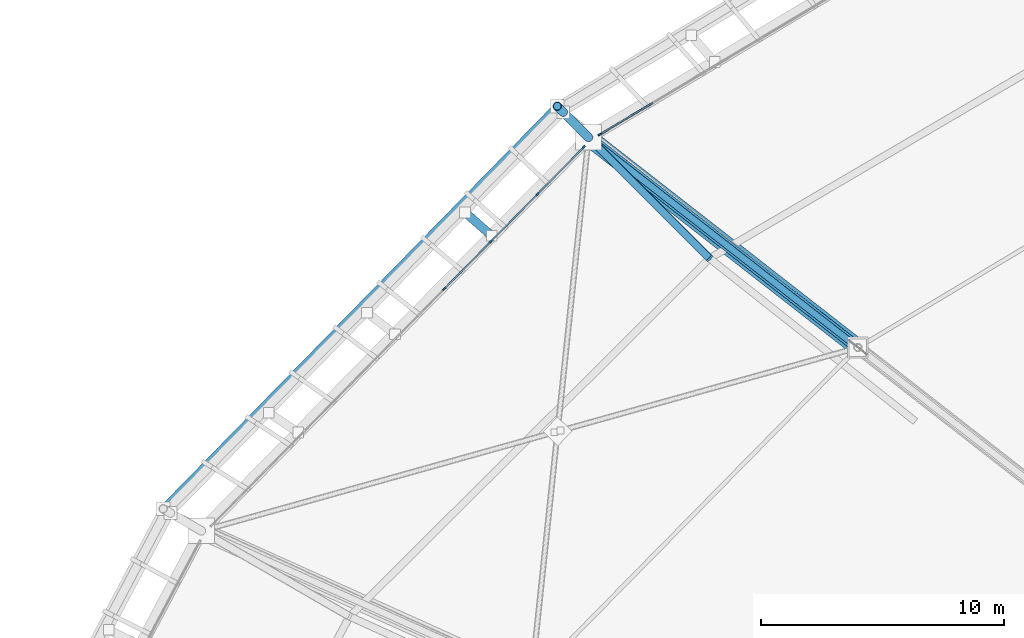
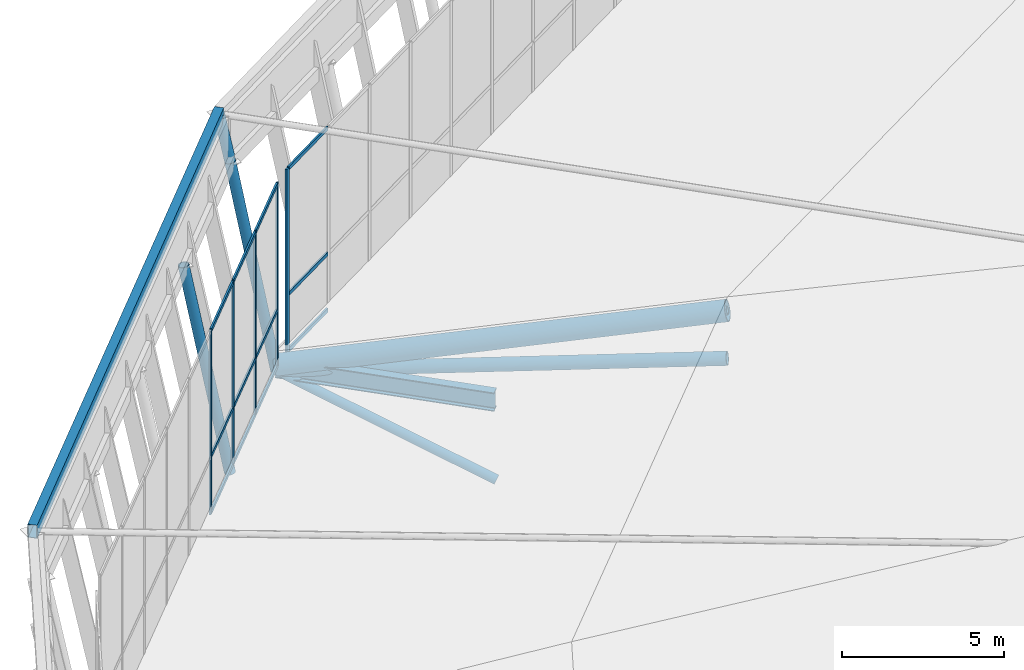
# One storey, part 62 of 115: 24 members, 2 beams, 2 elements without a shape of their own.
"""IFC4 building model written with IfcOpenShell, lengths in metres."""

import ifcopenshell
import ifcopenshell.guid

model = None  # the IFC model being written
_history = None  # IfcOwnerHistory: only IFC2X3 demands one
_inside = {}  # id of a spatial element -> (the spatial element, [elements in it])
_under = {}  # id of a project, library or spatial element -> (it, [spatial elements below it])
_declared = {}  # id of a project -> (the project, [libraries it declares])
_typed = {}  # id of a type object -> (the type object, [elements of that type])
_made_of = {}  # id of a material, layer set ... -> (it, [elements and type objects made of it])


def new_model(schema):
    """Start an empty IFC model of exactly this schema.

    Asked for "IFC4X3", IfcOpenShell would pick the latest addendum, in which some entities
    have other attributes; the version numbers below select the first issue.
    IFC2X3 requires an IfcOwnerHistory on every rooted entity: one is made here for all.
    """
    global model, _history
    if schema == "IFC4X3":
        model = ifcopenshell.file(schema_version=(4, 3, 0, 0))
    else:
        model = ifcopenshell.file(schema=schema)
    _inside.clear()
    _under.clear()
    _declared.clear()
    _typed.clear()
    _made_of.clear()
    _history = None
    if model.schema == "IFC2X3":
        org = make("IfcOrganization", Name="unknown")
        user = make(
            "IfcPersonAndOrganization",
            ThePerson=make("IfcPerson", FamilyName="unknown"),
            TheOrganization=org,
        )
        app = make(
            "IfcApplication",
            ApplicationDeveloper=org,
            Version="unknown",
            ApplicationFullName="unknown",
            ApplicationIdentifier="unknown",
        )
        _history = make(
            "IfcOwnerHistory",
            OwningUser=user,
            OwningApplication=app,
            ChangeAction="ADDED",
            CreationDate=0,
        )
    return model


def make(cls, **values):
    """One entity of the class cls with the attributes given. An attribute that is None is left unset."""
    return model.create_entity(
        cls, **{name: value for name, value in values.items() if value is not None}
    )


def rooted(cls, **values):
    """An entity with a GlobalId (a new one), such as an element, a storey or a relation."""
    return make(cls, GlobalId=ifcopenshell.guid.new(), OwnerHistory=_history, **values)


def si_unit(unit_type, name, prefix=None):
    """IfcSIUnit, for example si_unit("LENGTHUNIT", "METRE", prefix="MILLI")."""
    return make("IfcSIUnit", UnitType=unit_type, Prefix=prefix, Name=name)


def assignment(units):
    """IfcUnitAssignment: the units of a project."""
    return None if units is None else make("IfcUnitAssignment", Units=units)


def point(xyz):
    """IfcCartesianPoint."""
    return None if xyz is None else make("IfcCartesianPoint", Coordinates=xyz)


def direction(xyz):
    """IfcDirection."""
    return None if xyz is None else make("IfcDirection", DirectionRatios=xyz)


def frame(location, z_axis=None, x_axis=None):
    """IfcAxis2Placement3D, a coordinate frame: its origin and axes. An axis left out is left unset."""
    return make(
        "IfcAxis2Placement3D",
        Location=point(location),
        Axis=direction(z_axis),
        RefDirection=direction(x_axis),
    )


def frame_2d(location, x_axis=None):
    """IfcAxis2Placement2D, a coordinate frame in the plane: its origin and x axis."""
    return make(
        "IfcAxis2Placement2D", Location=point(location), RefDirection=direction(x_axis)
    )


def origin():
    """The frame at (0, 0, 0) with its axes left unset."""
    return frame((0.0, 0.0, 0.0))


def origin_2d():
    """The frame at (0, 0) in the plane with its x axis left unset."""
    return frame_2d((0.0, 0.0))


def place(relative_to, where):
    """IfcLocalPlacement: puts the frame where relative to a parent placement (None: the world)."""
    return make(
        "IfcLocalPlacement", PlacementRelTo=relative_to, RelativePlacement=where
    )


def context(
    kind, dimensions, precision=None, world=None, true_north=None, identifier=None
):
    """IfcGeometricRepresentationContext, for example the 3D "Model" context."""
    return make(
        "IfcGeometricRepresentationContext",
        ContextIdentifier=identifier,
        ContextType=kind,
        CoordinateSpaceDimension=dimensions,
        Precision=precision,
        WorldCoordinateSystem=world,
        TrueNorth=true_north,
    )


def subcontext(parent, identifier, kind, view, scale=None):
    """IfcGeometricRepresentationSubContext, for example "Body" below "Model"."""
    return make(
        "IfcGeometricRepresentationSubContext",
        ContextIdentifier=identifier,
        ContextType=kind,
        ParentContext=parent,
        TargetScale=scale,
        TargetView=view,
    )


def project(units=None, contexts=None):
    """IfcProject with its units and contexts."""
    return rooted(
        "IfcProject",
        Name="project",
        RepresentationContexts=contexts,
        UnitsInContext=assignment(units),
    )


def spatial(cls, under=None, at=None, **own):
    """A site, building, storey or space (cls), placed at a placement, below another one or the project."""
    s = rooted(cls, ObjectPlacement=at, **own)
    if under is not None:
        _under.setdefault(under.id(), (under, []))[1].append(s)
    return s


def profile(cls, at=None, kind="AREA", **sizes):
    """A parametric profile (cls). Its sizes go by their IFC names, for example OverallWidth=200.0."""
    return make(cls, ProfileType=kind, Position=at, **sizes)


def rectangle(**sizes):
    """IfcRectangleProfileDef."""
    return profile("IfcRectangleProfileDef", **sizes)


def hollow_rectangle(**sizes):
    """IfcRectangleHollowProfileDef."""
    return profile("IfcRectangleHollowProfileDef", **sizes)


def hollow_circle(**sizes):
    """IfcCircleHollowProfileDef."""
    return profile("IfcCircleHollowProfileDef", **sizes)


def i_section(**sizes):
    """IfcIShapeProfileDef."""
    return profile("IfcIShapeProfileDef", **sizes)


def extrude(swept, where, along, depth):
    """IfcExtrudedAreaSolid: the profile swept, set in the frame where, extruded along a direction by depth."""
    return make(
        "IfcExtrudedAreaSolid",
        SweptArea=swept,
        Position=where,
        ExtrudedDirection=direction(along),
        Depth=depth,
    )


def shape(context_of_items, identifier, shape_type, items):
    """IfcShapeRepresentation: the items that make up one representation, for example the "Body"."""
    return make(
        "IfcShapeRepresentation",
        ContextOfItems=context_of_items,
        RepresentationIdentifier=identifier,
        RepresentationType=shape_type,
        Items=items,
    )


def material(Name=None, Category=None):
    """IfcMaterial."""
    return make("IfcMaterial", Name=Name, Category=Category)


def material_profile(
    of_material, cross_section, Name=None, Category=None, Priority=None
):
    """IfcMaterialProfile: a cross section and its material."""
    return make(
        "IfcMaterialProfile",
        Name=Name,
        Material=of_material,
        Profile=cross_section,
        Priority=Priority,
        Category=Category,
    )


def profile_set(profiles, Name=None, composite=None):
    """IfcMaterialProfileSet."""
    return make(
        "IfcMaterialProfileSet",
        Name=Name,
        MaterialProfiles=profiles,
        CompositeProfile=composite,
    )


def made_of(thing, what):
    """Note that an element or type object is made of a material, layer set ...; save() writes the relation."""
    if what is not None:
        _made_of.setdefault(what.id(), (what, []))[1].append(thing)
    return thing


def type_object(cls, material=None, **own):
    """A type object (cls), such as IfcWallType, which elements share."""
    return made_of(rooted(cls, **own), material)


def element(
    cls,
    number,
    at=None,
    inside=None,
    cuts=None,
    type_object=None,
    material=None,
    context=None,
    identifier="Body",
    shape_type=None,
    held_by="IfcProductDefinitionShape",
    body=None,
    shapes=None,
    **own,
):
    """One element of the class cls, such as IfcWall. Its Tag is "e" and its number.

    at: its placement. inside: the storey or other place that contains it. cuts: it is an
    opening in that element (IfcRelVoidsElement). A single representation is given by context,
    identifier, shape_type and body (its items); several are given by shapes. held_by: the class
    of the entity that holds the representations. save() writes the other relations.
    """
    e = rooted(cls, Tag="e%d" % number, ObjectPlacement=at, **own)
    if body is not None:
        shapes = [shape(context, identifier, shape_type, body)]
    if shapes is not None:
        e.Representation = make(held_by, Representations=shapes)
    if inside is not None:
        _inside.setdefault(inside.id(), (inside, []))[1].append(e)
    if cuts is not None:
        rooted(
            "IfcRelVoidsElement", RelatingBuildingElement=cuts, RelatedOpeningElement=e
        )
    if type_object is not None:
        _typed.setdefault(type_object.id(), (type_object, []))[1].append(e)
    return made_of(e, material)


def aggregate(whole, parts):
    """IfcRelAggregates: a whole, such as a stair, and the parts it consists of."""
    return rooted("IfcRelAggregates", RelatingObject=whole, RelatedObjects=parts)


def save(model, path):
    """Write the relations noted so far, then the file.

    IfcRelAggregates (storeys below a building ...), IfcRelContainedInSpatialStructure (elements
    in a storey), IfcRelDefinesByType, IfcRelAssociatesMaterial and IfcRelDeclares: one each for
    every whole, place, type object, material and project.
    """
    for whole, parts in _under.values():
        aggregate(whole, parts)
    for where, things in _inside.values():
        rooted(
            "IfcRelContainedInSpatialStructure",
            RelatedElements=things,
            RelatingStructure=where,
        )
    for kind, things in _typed.values():
        rooted("IfcRelDefinesByType", RelatedObjects=things, RelatingType=kind)
    for what, things in _made_of.values():
        rooted("IfcRelAssociatesMaterial", RelatedObjects=things, RelatingMaterial=what)
    for by, libraries in _declared.values():
        rooted("IfcRelDeclares", RelatingContext=by, RelatedDefinitions=libraries)
    model.write(path)


model = new_model("IFC4")

# Units and contexts
model_context = context("Model", 3, precision=1e-05, world=origin(), true_north=direction((0.0, 1.0)))
body_context = subcontext(model_context, "Body", "Model", "MODEL_VIEW")
ifc_project = project(units=[si_unit("LENGTHUNIT", "METRE"), si_unit("AREAUNIT", "SQUARE_METRE"), si_unit("VOLUMEUNIT", "CUBIC_METRE"), si_unit("PLANEANGLEUNIT", "RADIAN"), si_unit("MASSUNIT", "GRAM", prefix="KILO")], contexts=[model_context])

# Site, building, storey
site_placement = place(None, origin())
site = spatial("IfcSite", under=ifc_project, at=site_placement, CompositionType="ELEMENT")
building_placement = place(site_placement, origin())
building = spatial("IfcBuilding", under=site, at=building_placement, Name="Zlatoyarsky Gate Stadium", CompositionType="ELEMENT")
storey_placement = place(building_placement, frame((0.0, 0.0, 31.800048828125)))
storey = spatial("IfcBuildingStorey", under=building, at=storey_placement, Name="RF", CompositionType="ELEMENT", Elevation=31.800048828125)

# Curtain wall, member
ifc_material_1 = material(Name="Thermally broken anodised aluminium curtain wall", Category="aluminium")
curtain_wall_type = type_object("IfcCurtainWallType", Name="UNITISED SKYBOX RING GLAZING L05", PredefinedType="USERDEFINED", material=ifc_material_1)
curtain_wall_1_placement = place(storey_placement, origin())
curtain_wall_1 = element("IfcCurtainWall", 1, at=curtain_wall_1_placement, inside=storey, type_object=curtain_wall_type, Name="Curtain wall CW-RF-08", ObjectType="UNITISED GLAZING", PredefinedType="USERDEFINED")
ifc_material_2 = material(Name="Anodised aluminium 6063-T6", Category="aluminium")
ifc_material_profile_1 = material_profile(ifc_material_2, rectangle(XDim=0.06494140625, YDim=0.159912109375, at=origin_2d()), Name="ALU 65X160")
ifc_profile_set_1 = profile_set([ifc_material_profile_1], Name="Anodised aluminium 6063-T6")
member_type_1 = type_object("IfcMemberType", Name="ALUMINIUM MULLION 65X160", PredefinedType="MULLION", material=ifc_profile_set_1)
member_1_placement = place(storey_placement, frame((40.739990234375, 135.296875, 0.0), z_axis=(0.0, 0.0, 1.0), x_axis=(0.513435995817, -0.858127891517, 0.0)))
member_1 = element("IfcMember", 2, at=member_1_placement, type_object=member_type_1, Name="CW-UG5 mullion 10", PredefinedType="MULLION", context=body_context, shape_type="SweptSolid", body=[
    extrude(rectangle(XDim=0.06494140625, YDim=0.159912109375, at=origin_2d()), origin(), (0.0, 0.0, 1.0), 6.89990234375),
])

# Curtain wall, members
curtain_wall_2_placement = place(storey_placement, origin())
curtain_wall_2 = element("IfcCurtainWall", 3, at=curtain_wall_2_placement, inside=storey, type_object=curtain_wall_type, Name="Curtain wall CW-RF-09", ObjectType="UNITISED GLAZING", PredefinedType="USERDEFINED")
member_2_placement = place(storey_placement, frame((40.0654296875, 134.7666015625, 0.0), z_axis=(0.0, 0.0, 1.0), x_axis=(0.712766053473, -0.701401848456, 0.0)))
member_2 = element("IfcMember", 4, at=member_2_placement, type_object=member_type_1, Name="CW-UG5 mullion 1", PredefinedType="MULLION", context=body_context, shape_type="SweptSolid", body=[
    extrude(rectangle(XDim=0.06494140625, YDim=0.159912109375, at=origin_2d()), origin(), (0.0, 0.0, 1.0), 6.89990234375),
])
member_3_placement = place(storey_placement, frame((38.174072265625, 132.8447265625, 0.0), z_axis=(0.0, 0.0, 1.0), x_axis=(0.712766053473, -0.701401848456, 0.0)))
member_3 = element("IfcMember", 5, at=member_3_placement, type_object=member_type_1, Name="CW-UG5 mullion 2", PredefinedType="MULLION", context=body_context, shape_type="SweptSolid", body=[
    extrude(rectangle(XDim=0.06494140625, YDim=0.159912109375, at=origin_2d()), origin(), (0.0, 0.0, 1.0), 6.89990234375),
])
member_4_placement = place(storey_placement, frame((36.260009765625, 130.899658203125, 0.0), z_axis=(0.0, 0.0, 1.0), x_axis=(0.712766053473, -0.701401848456, 0.0)))
member_4 = element("IfcMember", 6, at=member_4_placement, type_object=member_type_1, Name="CW-UG5 mullion 3", PredefinedType="MULLION", context=body_context, shape_type="SweptSolid", body=[
    extrude(rectangle(XDim=0.06494140625, YDim=0.159912109375, at=origin_2d()), origin(), (0.0, 0.0, 1.0), 6.89990234375),
])
member_5_placement = place(storey_placement, frame((34.345947265625, 128.954345703125, 0.0), z_axis=(0.0, 0.0, 1.0), x_axis=(0.712766053473, -0.701401848456, 0.0)))
member_5 = element("IfcMember", 7, at=member_5_placement, type_object=member_type_1, Name="CW-UG5 mullion 4", PredefinedType="MULLION", context=body_context, shape_type="SweptSolid", body=[
    extrude(rectangle(XDim=0.06494140625, YDim=0.159912109375, at=origin_2d()), origin(), (0.0, 0.0, 1.0), 6.89990234375),
])

# Member
ifc_material_profile_2 = material_profile(ifc_material_2, rectangle(XDim=0.06494140625, YDim=0.139892578125, at=origin_2d()), Name="ALU 65X140")
ifc_profile_set_2 = profile_set([ifc_material_profile_2], Name="Anodised aluminium 6063-T6")
member_type_2 = type_object("IfcMemberType", Name="ALUMINIUM TRANSOM 65X140", PredefinedType="USERDEFINED", material=ifc_profile_set_2)
member_6_placement = place(storey_placement, frame((42.906494140625, 136.59326171875, 0.032470703125), z_axis=(-0.858140517971, -0.513414892087, 0.0), x_axis=(0.513414892087, -0.858140517971, 0.0)))
member_6 = element("IfcMember", 8, at=member_6_placement, type_object=member_type_2, Name="CW-UG5 transom 9.1", ObjectType="TRANSOM", PredefinedType="USERDEFINED", context=body_context, shape_type="SweptSolid", body=[
    extrude(rectangle(XDim=0.06494140625, YDim=0.139892578125, at=origin_2d()), origin(), (0.0, 0.0, 1.0), 2.4921875),
])

member_7_placement = place(storey_placement, frame((42.906494140625, 136.59326171875, 2.14990234375), z_axis=(-0.858140517971, -0.513414892087, 0.0), x_axis=(0.513414892087, -0.858140517971, 0.0)))
member_7 = element("IfcMember", 9, at=member_7_placement, type_object=member_type_2, Name="CW-UG5 transom 9.2", ObjectType="TRANSOM", PredefinedType="USERDEFINED", context=body_context, shape_type="SweptSolid", body=[
    extrude(rectangle(XDim=0.06494140625, YDim=0.139892578125, at=origin_2d()), origin(), (0.0, 0.0, 1.0), 2.4921875),
])

member_8_placement = place(storey_placement, frame((42.906494140625, 136.59326171875, 6.867431640625), z_axis=(-0.858140517971, -0.513414892087, 0.0), x_axis=(0.513414892087, -0.858140517971, 0.0)))
member_8 = element("IfcMember", 10, at=member_8_placement, type_object=member_type_2, Name="CW-UG5 transom 9.3", ObjectType="TRANSOM", PredefinedType="USERDEFINED", context=body_context, shape_type="SweptSolid", body=[
    extrude(rectangle(XDim=0.06494140625, YDim=0.139892578125, at=origin_2d()), origin(), (0.0, 0.0, 1.0), 2.4921875),
])

aggregate(curtain_wall_1, [member_1, member_6, member_7, member_8])

member_9_placement = place(storey_placement, frame((40.042724609375, 134.743408203125, 0.032470703125), z_axis=(-0.701471617556, -0.712697390036, 0.0), x_axis=(0.712697390036, -0.701471617556, 0.0)))
member_9 = element("IfcMember", 11, at=member_9_placement, type_object=member_type_2, Name="CW-UG5 transom 1.1", ObjectType="TRANSOM", PredefinedType="USERDEFINED", context=body_context, shape_type="SweptSolid", body=[
    extrude(rectangle(XDim=0.06494140625, YDim=0.139892578125, at=origin_2d()), origin(), (0.0, 0.0, 1.0), 2.631591796875),
])

member_10_placement = place(storey_placement, frame((40.042724609375, 134.743408203125, 2.14990234375), z_axis=(-0.701471617556, -0.712697390036, 0.0), x_axis=(0.712697390036, -0.701471617556, 0.0)))
member_10 = element("IfcMember", 12, at=member_10_placement, type_object=member_type_2, Name="CW-UG5 transom 1.2", ObjectType="TRANSOM", PredefinedType="USERDEFINED", context=body_context, shape_type="SweptSolid", body=[
    extrude(rectangle(XDim=0.06494140625, YDim=0.139892578125, at=origin_2d()), origin(), (0.0, 0.0, 1.0), 2.631591796875),
])

member_11_placement = place(storey_placement, frame((40.042724609375, 134.743408203125, 6.867431640625), z_axis=(-0.701471617556, -0.712697390036, 0.0), x_axis=(0.712697390036, -0.701471617556, 0.0)))
member_11 = element("IfcMember", 13, at=member_11_placement, type_object=member_type_2, Name="CW-UG5 transom 1.3", ObjectType="TRANSOM", PredefinedType="USERDEFINED", context=body_context, shape_type="SweptSolid", body=[
    extrude(rectangle(XDim=0.06494140625, YDim=0.139892578125, at=origin_2d()), origin(), (0.0, 0.0, 1.0), 2.631591796875),
])

member_12_placement = place(storey_placement, frame((38.1513671875, 132.821533203125, 0.032470703125), z_axis=(-0.701448172626, -0.712720464922, 0.0), x_axis=(0.712720464922, -0.701448172626, 0.0)))
member_12 = element("IfcMember", 14, at=member_12_placement, type_object=member_type_2, Name="CW-UG5 transom 2.1", ObjectType="TRANSOM", PredefinedType="USERDEFINED", context=body_context, shape_type="SweptSolid", body=[
    extrude(rectangle(XDim=0.06494140625, YDim=0.139892578125, at=origin_2d()), origin(), (0.0, 0.0, 1.0), 2.6640625),
])

member_13_placement = place(storey_placement, frame((38.1513671875, 132.821533203125, 2.14990234375), z_axis=(-0.701448172626, -0.712720464922, 0.0), x_axis=(0.712720464922, -0.701448172626, 0.0)))
member_13 = element("IfcMember", 15, at=member_13_placement, type_object=member_type_2, Name="CW-UG5 transom 2.2", ObjectType="TRANSOM", PredefinedType="USERDEFINED", context=body_context, shape_type="SweptSolid", body=[
    extrude(rectangle(XDim=0.06494140625, YDim=0.139892578125, at=origin_2d()), origin(), (0.0, 0.0, 1.0), 2.6640625),
])

member_14_placement = place(storey_placement, frame((38.1513671875, 132.821533203125, 6.867431640625), z_axis=(-0.701448172626, -0.712720464922, 0.0), x_axis=(0.712720464922, -0.701448172626, 0.0)))
member_14 = element("IfcMember", 16, at=member_14_placement, type_object=member_type_2, Name="CW-UG5 transom 2.3", ObjectType="TRANSOM", PredefinedType="USERDEFINED", context=body_context, shape_type="SweptSolid", body=[
    extrude(rectangle(XDim=0.06494140625, YDim=0.139892578125, at=origin_2d()), origin(), (0.0, 0.0, 1.0), 2.6640625),
])

member_15_placement = place(storey_placement, frame((36.2373046875, 130.87646484375, 0.032470703125), z_axis=(-0.701402357666, -0.712765552381, 0.0), x_axis=(0.712765552381, -0.701402357666, 0.0)))
member_15 = element("IfcMember", 17, at=member_15_placement, type_object=member_type_2, Name="CW-UG5 transom 3.1", ObjectType="TRANSOM", PredefinedType="USERDEFINED", context=body_context, shape_type="SweptSolid", body=[
    extrude(rectangle(XDim=0.06494140625, YDim=0.139892578125, at=origin_2d()), origin(), (0.0, 0.0, 1.0), 2.6640625),
])

member_16_placement = place(storey_placement, frame((36.2373046875, 130.87646484375, 2.14990234375), z_axis=(-0.701402357666, -0.712765552381, 0.0), x_axis=(0.712765552381, -0.701402357666, 0.0)))
member_16 = element("IfcMember", 18, at=member_16_placement, type_object=member_type_2, Name="CW-UG5 transom 3.2", ObjectType="TRANSOM", PredefinedType="USERDEFINED", context=body_context, shape_type="SweptSolid", body=[
    extrude(rectangle(XDim=0.06494140625, YDim=0.139892578125, at=origin_2d()), origin(), (0.0, 0.0, 1.0), 2.6640625),
])

member_17_placement = place(storey_placement, frame((36.2373046875, 130.87646484375, 6.867431640625), z_axis=(-0.701402357666, -0.712765552381, 0.0), x_axis=(0.712765552381, -0.701402357666, 0.0)))
member_17 = element("IfcMember", 19, at=member_17_placement, type_object=member_type_2, Name="CW-UG5 transom 3.3", ObjectType="TRANSOM", PredefinedType="USERDEFINED", context=body_context, shape_type="SweptSolid", body=[
    extrude(rectangle(XDim=0.06494140625, YDim=0.139892578125, at=origin_2d()), origin(), (0.0, 0.0, 1.0), 2.6640625),
])

aggregate(curtain_wall_2, [member_2, member_3, member_4, member_5, member_9, member_10, member_11, member_12, member_13, member_14, member_15, member_16, member_17])

# Members
ifc_material_3 = material(Name="Steel S355", Category="steel")
ifc_material_profile_3 = material_profile(ifc_material_3, hollow_circle(Radius=0.228515625, WallThickness=0.02490234375, at=origin_2d()), Name="CHS 457X25")
ifc_profile_set_3 = profile_set([ifc_material_profile_3], Name="Steel S355")
member_type_3 = type_object("IfcMemberType", Name="STEEL ARCH BOTTOM CHORD CHS 457X25", PredefinedType="CHORD", material=ifc_profile_set_3)
member_18_placement = place(storey_placement, frame((40.269775390625, 135.173828125, -0.449951171875), z_axis=(0.782072913981, -0.610058642375, 0.127241542272), x_axis=(0.61505798075, 0.788481883315, 0.0)))
element("IfcMember", 20, at=member_18_placement, inside=storey, type_object=member_type_3, Name="Radial truss R10 bottom chord 1", PredefinedType="CHORD", context=body_context, shape_type="SweptSolid", body=[
    extrude(hollow_circle(Radius=0.228515625, WallThickness=0.02490234375, at=origin_2d()), origin(), (0.0, 0.0, 1.0), 14.144775390625),
])
ifc_material_profile_4 = material_profile(ifc_material_3, hollow_circle(Radius=0.35546875, WallThickness=0.031982421875, at=origin_2d()), Name="CHS 711X32")
ifc_profile_set_4 = profile_set([ifc_material_profile_4], Name="Steel S355")
member_type_4 = type_object("IfcMemberType", Name="STEEL ARCH TOP CHORD CHS 711X32", PredefinedType="CHORD", material=ifc_profile_set_4)
member_19_placement = place(storey_placement, frame((40.269775390625, 135.173828125, -0.25), z_axis=(0.76630202169, -0.597756504086, 0.235517246453), x_axis=(0.61505798075, 0.788481883315, 0.0)))
element("IfcMember", 21, at=member_19_placement, inside=storey, type_object=member_type_4, Name="Radial truss R10 top chord 1", PredefinedType="CHORD", context=body_context, shape_type="SweptSolid", body=[
    extrude(hollow_circle(Radius=0.35546875, WallThickness=0.031982421875, at=origin_2d()), origin(), (0.0, 0.0, 1.0), 14.435791015625),
])
ifc_material_profile_5 = material_profile(ifc_material_3, hollow_circle(Radius=0.177734375, WallThickness=0.02001953125, at=origin_2d()), Name="CHS 355.6X20")
ifc_profile_set_5 = profile_set([ifc_material_profile_5], Name="Steel S355")
member_type_5 = type_object("IfcMemberType", Name="STEEL LEANING RIB RING STRUT CHS 355.6X20", PredefinedType="STRUT", material=ifc_profile_set_5)
member_20_placement = place(storey_placement, frame((40.269775390625, 135.173828125, -0.449951171875), z_axis=(-0.134083158373, 0.134083158373, 0.981857124678), x_axis=(-0.707106781187, -0.707106781187, 0.0)))
element("IfcMember", 22, at=member_20_placement, inside=storey, type_object=member_type_5, Name="Outward-leaning crown fascia lower post 09", PredefinedType="STRUT", context=body_context, shape_type="SweptSolid", body=[
    extrude(hollow_circle(Radius=0.177734375, WallThickness=0.02001953125, at=origin_2d()), origin(), (0.0, 0.0, 1.0), 7.740234375),
])
member_21_placement = place(storey_placement, frame((39.23193359375, 136.211669921875, 7.14990234375), z_axis=(-0.142090707593, 0.142231391462, 0.979581779178), x_axis=(-0.707456574237, -0.706756815014, 0.0)))
element("IfcMember", 23, at=member_21_placement, inside=storey, type_object=member_type_5, Name="Outward-leaning crown fascia upper post 09", PredefinedType="STRUT", context=body_context, shape_type="SweptSolid", body=[
    extrude(hollow_circle(Radius=0.177734375, WallThickness=0.02001953125, at=origin_2d()), origin(), (0.0, 0.0, 1.0), 1.7353515625),
])
member_22_placement = place(storey_placement, frame((36.295654296875, 131.1337890625, -0.449951171875), z_axis=(-0.141622971852, 0.124302630674, 0.982085428999), x_axis=(-0.65965358824, -0.751569786195, 0.0)))
element("IfcMember", 24, at=member_22_placement, inside=storey, type_object=member_type_5, Name="Outward-leaning bowl louvre fin rib RF 09-1", PredefinedType="STRUT", context=body_context, shape_type="SweptSolid", body=[
    extrude(hollow_circle(Radius=0.177734375, WallThickness=0.02001953125, at=origin_2d()), origin(), (0.0, 0.0, 1.0), 7.738525390625),
])

# Beams
ifc_material_profile_6 = material_profile(ifc_material_3, hollow_rectangle(XDim=0.300048828125, YDim=0.5, WallThickness=0.02001953125, at=origin_2d()), Name="RHS 500X300X20")
ifc_profile_set_6 = profile_set([ifc_material_profile_6], Name="Steel S355")
beam_type_1 = type_object("IfcBeamType", Name="STEEL LOUVRE CARRIER SPANDREL RHS 500X300X20", PredefinedType="SPANDREL", material=ifc_profile_set_6)
beam_1_placement = place(storey_placement, frame((38.9853515625, 136.45849609375, 8.849853515625), z_axis=(-0.699474513412, -0.714657543924, 0.0), x_axis=(0.714657543924, -0.699474513412, 0.0)))
element("IfcBeam", 25, at=beam_1_placement, inside=storey, type_object=beam_type_1, Name="Crown fascia top carrier spandrel 09", PredefinedType="SPANDREL", context=body_context, shape_type="SweptSolid", body=[
    extrude(hollow_rectangle(XDim=0.300048828125, YDim=0.5, WallThickness=0.02001953125, at=origin_2d()), origin(), (0.0, 0.0, 1.0), 23.138916015625),
])
ifc_material_profile_7 = material_profile(ifc_material_3, i_section(OverallWidth=0.300048828125, OverallDepth=0.699951171875, WebThickness=0.01708984375, FlangeThickness=0.031982421875, FilletRadius=0.027099609375, at=origin_2d()), Name="HEB 700")
ifc_profile_set_7 = profile_set([ifc_material_profile_7], Name="Steel S355")
beam_type_2 = type_object("IfcBeamType", Name="STEEL ROOF RING GIRDER HEB 700", PredefinedType="BEAM", material=ifc_profile_set_7)
beam_2_placement = place(storey_placement, frame((45.210693359375, 130.23291015625, -0.300048828125), z_axis=(-0.707106781187, 0.707106781187, 0.0), x_axis=(-0.707106781187, -0.707106781187, 0.0)))
element("IfcBeam", 26, at=beam_2_placement, inside=storey, type_object=beam_type_2, Name="RF roof tie girder BM-RF-COUT-09", PredefinedType="BEAM", context=body_context, shape_type="SweptSolid", body=[
    extrude(i_section(OverallWidth=0.300048828125, OverallDepth=0.699951171875, WebThickness=0.01708984375, FlangeThickness=0.031982421875, FilletRadius=0.027099609375, at=origin_2d()), origin(), (0.0, 0.0, 1.0), 6.987548828125),
])

# Members
ifc_material_profile_8 = material_profile(ifc_material_3, hollow_circle(Radius=0.136474609375, WallThickness=0.01611328125, at=origin_2d()), Name="CHS 273X16")
ifc_profile_set_8 = profile_set([ifc_material_profile_8], Name="Steel S355")
member_type_6 = type_object("IfcMemberType", Name="STEEL ROOF TRUSS DIAGONAL CHS 273X16", PredefinedType="BRACE", material=ifc_profile_set_8)
member_23_placement = place(storey_placement, frame((40.269775390625, 135.173828125, -0.449951171875), z_axis=(0.76374161775, -0.595759252265, 0.248535016965), x_axis=(0.61505798075, 0.788481883315, 0.0)))
element("IfcMember", 27, at=member_23_placement, inside=storey, type_object=member_type_6, Name="Radial truss R10 web diagonal 1", PredefinedType="BRACE", context=body_context, shape_type="SweptSolid", body=[
    extrude(hollow_circle(Radius=0.136474609375, WallThickness=0.01611328125, at=origin_2d()), origin(), (0.0, 0.0, 1.0), 14.484375),
])
ifc_material_profile_9 = material_profile(ifc_material_3, hollow_circle(Radius=0.161865234375, WallThickness=0.01611328125, at=origin_2d()), Name="CHS 323.9X16")
ifc_profile_set_9 = profile_set([ifc_material_profile_9], Name="Steel S355")
member_type_7 = type_object("IfcMemberType", Name="STEEL TRUSS WEB STRUT CHS 323.9X16", PredefinedType="STRUT", material=ifc_profile_set_9)
member_24_placement = place(storey_placement, frame((45.239013671875, 130.20458984375, -3.300048828125), z_axis=(-0.655268385367, 0.655268385367, 0.375828000922), x_axis=(-0.707106781187, -0.707106781187, 0.0)))
element("IfcMember", 28, at=member_24_placement, inside=storey, type_object=member_type_7, Name="Arch heel prop 09", PredefinedType="STRUT", context=body_context, shape_type="SweptSolid", body=[
    extrude(hollow_circle(Radius=0.161865234375, WallThickness=0.01611328125, at=origin_2d()), origin(), (0.0, 0.0, 1.0), 7.58349609375),
])

save(model, "model.ifc")
